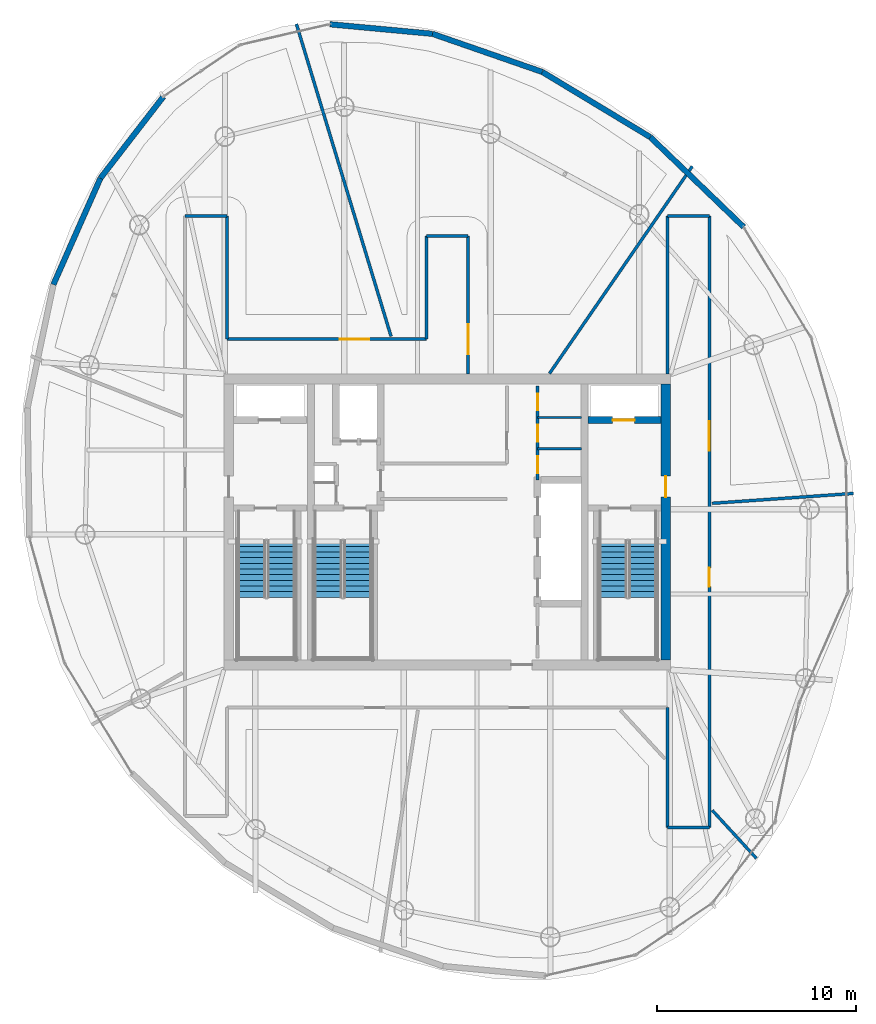
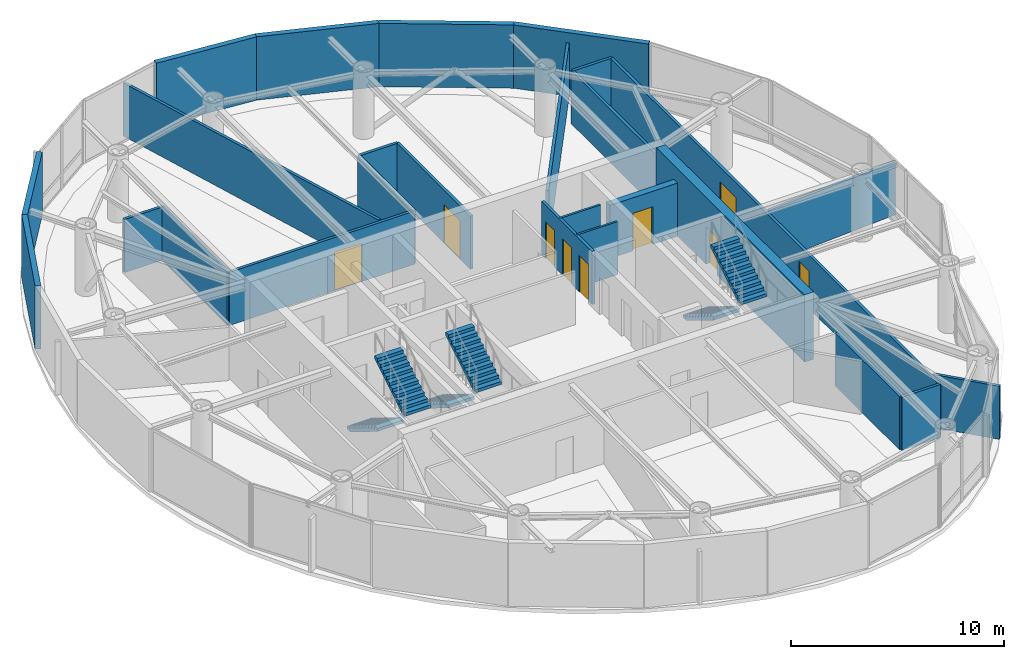
# One storey, part 16 of 19: 26 walls, 9 doors, 6 stair flights, 9 openings, 3 elements without a shape of their own.
"""IFC4 building model written with IfcOpenShell, lengths in metres."""

from ifc_helpers import new_model, si_unit, direction, frame, frame_2d, origin, place, context, subcontext, project, spatial, polyline, rectangle, outline, extrude, material, layer, layer_set, type_object, element, fill, aggregate, save


model = new_model("IFC4")

# Units and contexts
model_context = context("Model", 3, precision=1e-05, world=origin(), true_north=direction((0.0, 1.0)))
body_context = subcontext(model_context, "Body", "Model", "MODEL_VIEW")
ifc_project = project(units=[si_unit("LENGTHUNIT", "METRE"), si_unit("AREAUNIT", "SQUARE_METRE"), si_unit("VOLUMEUNIT", "CUBIC_METRE"), si_unit("PLANEANGLEUNIT", "RADIAN"), si_unit("MASSUNIT", "GRAM", prefix="KILO")], contexts=[model_context])

# Site, building, storey
site_placement = place(None, origin())
site = spatial("IfcSite", under=ifc_project, at=site_placement, CompositionType="ELEMENT")
building_placement = place(site_placement, origin())
building = spatial("IfcBuilding", under=site, at=building_placement, Name="Bramvorn Convention Spire", CompositionType="ELEMENT")
storey_placement = place(building_placement, frame((0.0, 0.0, 299.800048828125)))
storey = spatial("IfcBuildingStorey", under=building, at=storey_placement, Name="L76", CompositionType="ELEMENT", Elevation=299.800048828125)

# Wall, opening, door
ifc_material_1 = material(Name="Concrete C50/60", Category="concrete")
ifc_layer_1 = layer(ifc_material_1, 0.5)
ifc_layer_set_1 = layer_set([ifc_layer_1], Name="Concrete C50/60 - WL-CORE-500")
wall_type_1 = type_object("IfcWallType", Name="WL-CORE-500", PredefinedType="SHEAR", material=ifc_layer_set_1)
wall_1_placement = place(storey_placement, frame((49.0, 19.050048828125, 0.0), z_axis=(0.0, 0.0, 1.0), x_axis=(0.0, 1.0, 0.0)))
wall_1 = element("IfcWall", 1, at=wall_1_placement, inside=storey, type_object=wall_type_1, Name="L76 East RC core shear wall", PredefinedType="SHEAR", context=body_context, shape_type="SweptSolid", body=[
    extrude(rectangle(XDim=13.89990234375, YDim=0.5, at=frame_2d((6.949951171875, 0.0))), origin(), (0.0, 0.0, 1.0), 3.849853515625),
])
opening_1_placement = place(wall_1_placement, frame((8.199951171875, 0.0, 0.0)))
opening_1 = element("IfcOpeningElement", 2, at=opening_1_placement, cuts=wall_1, Name="Opening DL-105", PredefinedType="OPENING", context=body_context, shape_type="SweptSolid", body=[
    extrude(rectangle(XDim=1.050048828125, YDim=2.14990234375, at=frame_2d((0.52490234375, 1.074951171875))), frame((0.0, 0.260009765625, 0.0), z_axis=(0.0, -1.0, 0.0), x_axis=(1.0, 0.0, 0.0)), (0.0, 0.0, 1.0), 0.52001953125),
])
ifc_material_2 = material(Name="Smoke-Sealed Fire Lobby Timber-Core Door", Category="wood")
door_type_1 = type_object("IfcDoorType", Name="DR-LOBBY-1050", OperationType="NOTDEFINED", PredefinedType="DOOR", material=ifc_material_2)
door_1_placement = place(opening_1_placement, origin())
door_1 = element("IfcDoor", 3, at=door_1_placement, inside=storey, type_object=door_type_1, Name="L76 East Firefighting Lobby corridor door", OperationType="SINGLE_SWING_LEFT", OverallHeight=2.14990234375, OverallWidth=1.050048828125, PredefinedType="DOOR", context=body_context, shape_type="SweptSolid", body=[
    extrude(rectangle(XDim=1.050048828125, YDim=2.14990234375, at=frame_2d((0.52490234375, 1.074951171875))), frame((0.0, 0.02490234375, 0.0), z_axis=(0.0, -1.0, 0.0), x_axis=(1.0, 0.0, 0.0)), (0.0, 0.0, 1.0), 0.050048828125),
])
fill(opening_1, door_1)

ifc_layer_2 = layer(ifc_material_1, 0.35009765625)
ifc_layer_set_2 = layer_set([ifc_layer_2], Name="Concrete C50/60 - WL-CORE-INT-350")
wall_type_2 = type_object("IfcWallType", Name="WL-CORE-INT-350", PredefinedType="SHEAR", material=ifc_layer_set_2)
wall_2_placement = place(storey_placement, frame((45.080078125, 31.1201171875, 0.0), z_axis=(0.0, 0.0, 1.0), x_axis=(1.0, 0.0, 0.0)))
wall_2 = element("IfcWall", 4, at=wall_2_placement, inside=storey, type_object=wall_type_2, Name="L76 FE2 shaft front wall", PredefinedType="SHEAR", context=body_context, shape_type="SweptSolid", body=[
    extrude(rectangle(XDim=3.669921875, YDim=0.35009765625, at=frame_2d((1.8349609375, 0.0))), origin(), (0.0, 0.0, 1.0), 3.0400390625),
])
opening_2_placement = place(wall_2_placement, frame((1.25, 0.0, 0.0)))
opening_2 = element("IfcOpeningElement", 5, at=opening_2_placement, cuts=wall_2, Name="Opening LD-110", PredefinedType="OPENING", context=body_context, shape_type="SweptSolid", body=[
    extrude(rectangle(XDim=1.10009765625, YDim=2.14990234375, at=frame_2d((0.550048828125, 1.074951171875))), frame((0.0, 0.18505859375, 0.0), z_axis=(0.0, -1.0, 0.0), x_axis=(1.0, 0.0, 0.0)), (0.0, 0.0, 1.0), 0.3701171875),
])
ifc_material_3 = material(Name="Firefighting & Service Lift Sliding Landing Door", Category="steel")
door_type_2 = type_object("IfcDoorType", Name="DR-LIFT-LD-1100", OperationType="NOTDEFINED", PredefinedType="DOOR", material=ifc_material_3)
door_2_placement = place(opening_2_placement, origin())
door_2 = element("IfcDoor", 6, at=door_2_placement, inside=storey, type_object=door_type_2, Name="L76 Lift FE2 Sliding Landing Door", OperationType="SLIDING_TO_LEFT", OverallHeight=2.14990234375, OverallWidth=1.10009765625, PredefinedType="DOOR", context=body_context, shape_type="SweptSolid", body=[
    extrude(rectangle(XDim=1.10009765625, YDim=2.14990234375, at=frame_2d((0.550048828125, 1.074951171875))), frame((0.0, 0.02490234375, 0.0), z_axis=(0.0, -1.0, 0.0), x_axis=(1.0, 0.0, 0.0)), (0.0, 0.0, 1.0), 0.050048828125),
])
fill(opening_2, door_2)

# Walls
ifc_material_4 = material(Name="Precast Concrete C40/50 with Bronze Terracotta Rainscreen", Category="masonry")
ifc_layer_3 = layer(ifc_material_4, 0.300048828125)
ifc_layer_set_3 = layer_set([ifc_layer_3], Name="Precast Concrete C40/50 with Bronze Terracotta Rainscreen - WL-EXT-BRONZE-300")
wall_type_3 = type_object("IfcWallType", Name="WL-EXT-BRONZE-300", PredefinedType="SOLIDWALL", material=ifc_layer_set_3)
wall_3_placement = place(storey_placement, frame((48.218017578125, 45.37109375, 0.0), z_axis=(0.0, 0.0, 1.0), x_axis=(0.720629593397, -0.693320264467, 0.0)))
element("IfcWall", 7, at=wall_3_placement, inside=storey, type_object=wall_type_3, Name="L76 expressed bronze Gothic lancet pier wall 08", PredefinedType="SOLIDWALL", context=body_context, shape_type="SweptSolid", body=[
    extrude(rectangle(XDim=6.526123046875, YDim=0.280029296875, at=frame_2d((3.26318359375, 0.0))), origin(), (0.0, 0.0, 1.0), 3.625),
])
wall_4_placement = place(storey_placement, frame((42.785888671875, 48.650634765625, 0.0), z_axis=(0.0, 0.0, 1.0), x_axis=(0.856080826814, -0.516841966139, 0.0)))
element("IfcWall", 8, at=wall_4_placement, inside=storey, type_object=wall_type_3, Name="L76 expressed bronze Gothic lancet pier wall 09", PredefinedType="SOLIDWALL", context=body_context, shape_type="SweptSolid", body=[
    extrude(rectangle(XDim=6.345458984375, YDim=0.280029296875, at=frame_2d((3.1728515625, 0.0))), origin(), (0.0, 0.0, 1.0), 3.625),
])
wall_5_placement = place(storey_placement, frame((37.25, 50.572265625, 0.0), z_axis=(0.0, 0.0, 1.0), x_axis=(0.944702886808, -0.327927515857, 0.0)))
element("IfcWall", 9, at=wall_5_placement, inside=storey, type_object=wall_type_3, Name="L76 expressed bronze Gothic lancet pier wall 10", PredefinedType="SOLIDWALL", context=body_context, shape_type="SweptSolid", body=[
    extrude(rectangle(XDim=5.85986328125, YDim=0.280029296875, at=frame_2d((2.929931640625, 0.0))), origin(), (0.0, 0.0, 1.0), 3.625),
])
for number, where, z_axis, x_axis, name in (
    (10, (32.093017578125, 51.05126953125, 0.0), (0.0, 0.0, 1.0), (0.995713945439, -0.092486425269, 0.0), "L76 expressed bronze Gothic lancet pier wall 11"),
    (11, (20.54052734375, 43.306884765625, 0.0), (0.0, 0.0, 1.0), (0.611447501076, 0.791285001392, 0.0), "L76 expressed bronze Gothic lancet pier wall 14"),
):
    element("IfcWall", number, at=place(storey_placement, frame(where, z_axis=z_axis, x_axis=x_axis)), inside=storey, type_object=wall_type_3, Name=name, PredefinedType="SOLIDWALL", context=body_context, shape_type="SweptSolid", body=[
        extrude(rectangle(XDim=5.17919921875, YDim=0.280029296875, at=frame_2d((2.589599609375, 0.0))), origin(), (0.0, 0.0, 1.0), 3.625),
    ])
wall_6_placement = place(storey_placement, frame((18.17041015625, 37.947509765625, 0.0), z_axis=(0.0, 0.0, 1.0), x_axis=(0.404452406616, 0.914559047182, 0.0)))
element("IfcWall", 12, at=wall_6_placement, inside=storey, type_object=wall_type_3, Name="L76 expressed bronze Gothic lancet pier wall 15", PredefinedType="SOLIDWALL", context=body_context, shape_type="SweptSolid", body=[
    extrude(rectangle(XDim=5.860107421875, YDim=0.280029296875, at=frame_2d((2.93017578125, 0.0))), origin(), (0.0, 0.0, 1.0), 3.625),
])
ifc_material_5 = material(Name="Lightweight En-Suite & Wet-Wall Partition", Category="gypsum")
ifc_layer_4 = layer(ifc_material_5, 0.110107421875)
ifc_layer_set_4 = layer_set([ifc_layer_4], Name="Lightweight En-Suite & Wet-Wall Partition - WL-PART-110")
wall_type_4 = type_object("IfcWallType", Name="WL-PART-110", PredefinedType="PARTITIONING", material=ifc_layer_set_4)
for number, where, z_axis, x_axis, name in (
    (13, (42.550048828125, 29.679931640625, 0.0), (0.0, 0.0, 1.0), (1.0, 0.0, 0.0), "L76 KC NE div 1"),
    (14, (42.550048828125, 31.260009765625, 0.0), (0.0, 0.0, 1.0), (1.0, 0.0, 0.0), "L76 KC NE div 2"),
):
    element("IfcWall", number, at=place(storey_placement, frame(where, z_axis=z_axis, x_axis=x_axis)), inside=storey, type_object=wall_type_4, Name=name, PredefinedType="PARTITIONING", context=body_context, shape_type="SweptSolid", body=[
        extrude(rectangle(XDim=2.199951171875, YDim=0.110107421875, at=frame_2d((1.10009765625, 0.0))), origin(), (0.0, 0.0, 1.0), 3.0400390625),
    ])

# Wall, openings, doors
ifc_material_6 = material(Name="Acoustic Metal-Stud Tenant/Corridor Partition", Category="gypsum")
ifc_layer_5 = layer(ifc_material_6, 0.14990234375)
ifc_layer_set_5 = layer_set([ifc_layer_5], Name="Acoustic Metal-Stud Tenant/Corridor Partition - WL-PART-150")
wall_type_5 = type_object("IfcWallType", Name="WL-PART-150", PredefinedType="PARTITIONING", material=ifc_layer_set_5)
wall_7_placement = place(storey_placement, frame((42.550048828125, 28.10009765625, 0.0), z_axis=(0.0, 0.0, 1.0), x_axis=(0.0, 1.0, 0.0)))
wall_7 = element("IfcWall", 15, at=wall_7_placement, inside=storey, type_object=wall_type_5, Name="L76 KC NE wall", PredefinedType="PARTITIONING", context=body_context, shape_type="SweptSolid", body=[
    extrude(rectangle(XDim=4.75, YDim=0.14990234375, at=frame_2d((2.375, 0.0))), origin(), (0.0, 0.0, 1.0), 3.0400390625),
])
opening_3_placement = place(wall_7_placement, frame((0.35009765625, 0.0, 0.0)))
opening_3 = element("IfcOpeningElement", 16, at=opening_3_placement, cuts=wall_7, Name="Opening DC-085", PredefinedType="OPENING", context=body_context, shape_type="SweptSolid", body=[
    extrude(rectangle(XDim=0.85009765625, YDim=2.10009765625, at=frame_2d((0.425048828125, 1.050048828125))), frame((0.0, 0.0849609375, 0.0), z_axis=(0.0, -1.0, 0.0), x_axis=(1.0, 0.0, 0.0)), (0.0, 0.0, 1.0), 0.169921875),
])
opening_4_placement = place(wall_7_placement, frame((1.929931640625, 0.0, 0.0)))
opening_4 = element("IfcOpeningElement", 17, at=opening_4_placement, cuts=wall_7, Name="Opening DC-085", PredefinedType="OPENING", context=body_context, shape_type="SweptSolid", body=[
    extrude(rectangle(XDim=0.85009765625, YDim=2.10009765625, at=frame_2d((0.425048828125, 1.050048828125))), frame((0.0, 0.0849609375, 0.0), z_axis=(0.0, -1.0, 0.0), x_axis=(1.0, 0.0, 0.0)), (0.0, 0.0, 1.0), 0.169921875),
])
opening_5_placement = place(wall_7_placement, frame((3.510009765625, 0.0, 0.0)))
opening_5 = element("IfcOpeningElement", 18, at=opening_5_placement, cuts=wall_7, Name="Opening DC-085", PredefinedType="OPENING", context=body_context, shape_type="SweptSolid", body=[
    extrude(rectangle(XDim=0.85009765625, YDim=2.10009765625, at=frame_2d((0.425048828125, 1.050048828125))), frame((0.0, 0.0849609375, 0.0), z_axis=(0.0, -1.0, 0.0), x_axis=(1.0, 0.0, 0.0)), (0.0, 0.0, 1.0), 0.169921875),
])
ifc_material_7 = material(Name="Fire-Rated Core Washroom & IDF Door", Category="wood")
door_type_3 = type_object("IfcDoorType", Name="DR-CORE-850", OperationType="NOTDEFINED", PredefinedType="DOOR", material=ifc_material_7)
door_3_placement = place(opening_3_placement, origin())
door_3 = element("IfcDoor", 19, at=door_3_placement, inside=storey, type_object=door_type_3, Name="L76 Accessible Core Restroom door", OperationType="SINGLE_SWING_LEFT", OverallHeight=2.10009765625, OverallWidth=0.85009765625, PredefinedType="DOOR", context=body_context, shape_type="SweptSolid", body=[
    extrude(rectangle(XDim=0.85009765625, YDim=2.10009765625, at=frame_2d((0.425048828125, 1.050048828125))), frame((0.0, 0.02490234375, 0.0), z_axis=(0.0, -1.0, 0.0), x_axis=(1.0, 0.0, 0.0)), (0.0, 0.0, 1.0), 0.050048828125),
])
fill(opening_3, door_3)
door_4_placement = place(opening_4_placement, origin())
door_4 = element("IfcDoor", 20, at=door_4_placement, inside=storey, type_object=door_type_3, Name="L76 Tenant Pantry & Copy Centre door", OperationType="SINGLE_SWING_LEFT", OverallHeight=2.10009765625, OverallWidth=0.85009765625, PredefinedType="DOOR", context=body_context, shape_type="SweptSolid", body=[
    extrude(rectangle(XDim=0.85009765625, YDim=2.10009765625, at=frame_2d((0.425048828125, 1.050048828125))), frame((0.0, 0.02490234375, 0.0), z_axis=(0.0, -1.0, 0.0), x_axis=(1.0, 0.0, 0.0)), (0.0, 0.0, 1.0), 0.050048828125),
])
fill(opening_4, door_4)
door_5_placement = place(opening_5_placement, origin())
door_5 = element("IfcDoor", 21, at=door_5_placement, inside=storey, type_object=door_type_3, Name="L76 Core Comms Closet door", OperationType="SINGLE_SWING_LEFT", OverallHeight=2.10009765625, OverallWidth=0.85009765625, PredefinedType="DOOR", context=body_context, shape_type="SweptSolid", body=[
    extrude(rectangle(XDim=0.85009765625, YDim=2.10009765625, at=frame_2d((0.425048828125, 1.050048828125))), frame((0.0, 0.02490234375, 0.0), z_axis=(0.0, -1.0, 0.0), x_axis=(1.0, 0.0, 0.0)), (0.0, 0.0, 1.0), 0.050048828125),
])
fill(opening_5, door_5)

# Wall, opening, door
wall_8_placement = place(storey_placement, frame((26.89990234375, 35.199951171875, 0.0), z_axis=(0.0, 0.0, 1.0), x_axis=(1.0, 0.0, 0.0)))
wall_8 = element("IfcWall", 22, at=wall_8_placement, inside=storey, type_object=wall_type_5, Name="L76 North-west spur link wall", PredefinedType="PARTITIONING", context=body_context, shape_type="SweptSolid", body=[
    extrude(rectangle(XDim=10.050048828125, YDim=0.14990234375, at=frame_2d((5.02490234375, 0.0))), origin(), (0.0, 0.0, 1.0), 3.0400390625),
])
opening_6_placement = place(wall_8_placement, frame((5.679443359375, 0.0, 0.0)))
opening_6 = element("IfcOpeningElement", 23, at=opening_6_placement, cuts=wall_8, Name="Opening DC-150", PredefinedType="OPENING", context=body_context, shape_type="SweptSolid", body=[
    extrude(rectangle(XDim=1.5, YDim=2.199951171875, at=frame_2d((0.75, 1.10009765625))), frame((0.0, 0.0849609375, 0.0), z_axis=(0.0, -1.0, 0.0), x_axis=(1.0, 0.0, 0.0)), (0.0, 0.0, 1.0), 0.169921875),
])
ifc_material_8 = material(Name="Double-Leaf Smoke-Control Corridor Door", Category="wood")
door_type_4 = type_object("IfcDoorType", Name="DR-COR-1500", OperationType="NOTDEFINED", PredefinedType="DOOR", material=ifc_material_8)
door_6_placement = place(opening_6_placement, origin())
door_6 = element("IfcDoor", 24, at=door_6_placement, inside=storey, type_object=door_type_4, Name="L76 Sunset Cocktail Dining Lounge 3 3 door", OperationType="DOUBLE_DOOR_SINGLE_SWING", OverallHeight=2.199951171875, OverallWidth=1.5, PredefinedType="DOOR", context=body_context, shape_type="SweptSolid", body=[
    extrude(rectangle(XDim=1.5, YDim=2.199951171875, at=frame_2d((0.75, 1.10009765625))), frame((0.0, 0.02490234375, 0.0), z_axis=(0.0, -1.0, 0.0), x_axis=(1.0, 0.0, 0.0)), (0.0, 0.0, 1.0), 0.050048828125),
])
fill(opening_6, door_6)

# Walls
wall_9_placement = place(storey_placement, frame((26.89990234375, 35.199951171875, 0.0), z_axis=(0.0, 0.0, 1.0), x_axis=(0.0, 1.0, 0.0)))
element("IfcWall", 25, at=wall_9_placement, inside=storey, type_object=wall_type_5, Name="L76 West gallery NE wall", PredefinedType="PARTITIONING", context=body_context, shape_type="SweptSolid", body=[
    extrude(rectangle(XDim=6.199951171875, YDim=0.14990234375, at=frame_2d((3.10009765625, 0.0))), origin(), (0.0, 0.0, 1.0), 3.0400390625),
])
wall_10_placement = place(storey_placement, frame((24.800048828125, 41.39990234375, 0.0), z_axis=(0.0, 0.0, 1.0), x_axis=(1.0, 0.0, 0.0)))
element("IfcWall", 26, at=wall_10_placement, inside=storey, type_object=wall_type_5, Name="L76 West gallery north end", PredefinedType="PARTITIONING", context=body_context, shape_type="SweptSolid", body=[
    extrude(rectangle(XDim=2.099853515625, YDim=0.14990234375, at=frame_2d((1.0498046875, 0.0))), origin(), (0.0, 0.0, 1.0), 3.0400390625),
])

# Wall, openings, doors
wall_11_placement = place(storey_placement, frame((51.199951171875, 10.60009765625, 0.0), z_axis=(0.0, 0.0, 1.0), x_axis=(0.0, 1.0, 0.0)))
wall_11 = element("IfcWall", 27, at=wall_11_placement, inside=storey, type_object=wall_type_5, Name="L76 East N-S gallery outer wall", PredefinedType="PARTITIONING", context=body_context, shape_type="SweptSolid", body=[
    extrude(rectangle(XDim=30.7998046875, YDim=0.14990234375, at=frame_2d((15.39990234375, 0.0))), origin(), (0.0, 0.0, 1.0), 3.0400390625),
])
opening_7_placement = place(wall_11_placement, frame((18.976318359375, 0.0, 0.0)))
opening_7 = element("IfcOpeningElement", 28, at=opening_7_placement, cuts=wall_11, Name="Opening DC-150", PredefinedType="OPENING", context=body_context, shape_type="SweptSolid", body=[
    extrude(rectangle(XDim=1.5, YDim=2.199951171875, at=frame_2d((0.75, 1.10009765625))), frame((0.0, 0.0849609375, 0.0), z_axis=(0.0, -1.0, 0.0), x_axis=(1.0, 0.0, 0.0)), (0.0, 0.0, 1.0), 0.169921875),
])
opening_8_placement = place(wall_11_placement, frame((12.13525390625, 0.0, 0.0)))
opening_8 = element("IfcOpeningElement", 29, at=opening_8_placement, cuts=wall_11, Name="Opening DH-095", PredefinedType="OPENING", context=body_context, shape_type="SweptSolid", body=[
    extrude(rectangle(XDim=0.949951171875, YDim=2.14990234375, at=frame_2d((0.47509765625, 1.074951171875))), frame((0.0, 0.0849609375, 0.0), z_axis=(0.0, -1.0, 0.0), x_axis=(1.0, 0.0, 0.0)), (0.0, 0.0, 1.0), 0.169921875),
])
door_7_placement = place(opening_7_placement, origin())
door_7 = element("IfcDoor", 30, at=door_7_placement, inside=storey, type_object=door_type_4, Name="L76 Signature Sky Dining Restaurant 1 1 door", OperationType="DOUBLE_DOOR_SINGLE_SWING", OverallHeight=2.199951171875, OverallWidth=1.5, PredefinedType="DOOR", context=body_context, shape_type="SweptSolid", body=[
    extrude(rectangle(XDim=1.5, YDim=2.199951171875, at=frame_2d((0.75, 1.10009765625))), frame((0.0, 0.02490234375, 0.0), z_axis=(0.0, -1.0, 0.0), x_axis=(1.0, 0.0, 0.0)), (0.0, 0.0, 1.0), 0.050048828125),
])
fill(opening_7, door_7)
ifc_material_9 = material(Name="Solid-Core Acoustic Guestroom Entry Door", Category="wood")
door_type_5 = type_object("IfcDoorType", Name="DR-HOTEL-950", OperationType="NOTDEFINED", PredefinedType="DOOR", material=ifc_material_9)
door_8_placement = place(opening_8_placement, origin())
door_8 = element("IfcDoor", 31, at=door_8_placement, inside=storey, type_object=door_type_5, Name="L76 Sky Garden Lounge door", OperationType="SINGLE_SWING_RIGHT", OverallHeight=2.14990234375, OverallWidth=0.949951171875, PredefinedType="DOOR", context=body_context, shape_type="SweptSolid", body=[
    extrude(rectangle(XDim=0.949951171875, YDim=2.14990234375, at=frame_2d((0.47509765625, 1.074951171875))), frame((0.0, 0.02490234375, 0.0), z_axis=(0.0, -1.0, 0.0), x_axis=(1.0, 0.0, 0.0)), (0.0, 0.0, 1.0), 0.050048828125),
])
fill(opening_8, door_8)

# Walls
wall_12_placement = place(storey_placement, frame((49.10009765625, 10.60009765625, 0.0), z_axis=(0.0, 0.0, 1.0), x_axis=(0.0, 1.0, 0.0)))
element("IfcWall", 32, at=wall_12_placement, inside=storey, type_object=wall_type_5, Name="L76 East gallery SW wall", PredefinedType="PARTITIONING", context=body_context, shape_type="SweptSolid", body=[
    extrude(rectangle(XDim=6.0498046875, YDim=0.14990234375, at=frame_2d((3.02490234375, 0.0))), origin(), (0.0, 0.0, 1.0), 3.0400390625),
])
wall_13_placement = place(storey_placement, frame((49.10009765625, 33.449951171875, 0.0), z_axis=(0.0, 0.0, 1.0), x_axis=(0.0, 1.0, 0.0)))
element("IfcWall", 33, at=wall_13_placement, inside=storey, type_object=wall_type_5, Name="L76 East gallery NW wall", PredefinedType="PARTITIONING", context=body_context, shape_type="SweptSolid", body=[
    extrude(rectangle(XDim=7.949951171875, YDim=0.14990234375, at=frame_2d((3.97509765625, 0.0))), origin(), (0.0, 0.0, 1.0), 3.0400390625),
])
for number, where, z_axis, x_axis, name in (
    (34, (49.10009765625, 10.60009765625, 0.0), (0.0, 0.0, 1.0), (1.0, 0.0, 0.0), "L76 East gallery south end"),
    (35, (49.10009765625, 41.39990234375, 0.0), (0.0, 0.0, 1.0), (1.0, 0.0, 0.0), "L76 East gallery north end"),
):
    element("IfcWall", number, at=place(storey_placement, frame(where, z_axis=z_axis, x_axis=x_axis)), inside=storey, type_object=wall_type_5, Name=name, PredefinedType="PARTITIONING", context=body_context, shape_type="SweptSolid", body=[
        extrude(rectangle(XDim=2.099853515625, YDim=0.14990234375, at=frame_2d((1.0498046875, 0.0))), origin(), (0.0, 0.0, 1.0), 3.0400390625),
    ])
wall_14_placement = place(storey_placement, frame((36.949951171875, 35.199951171875, 0.0), z_axis=(0.0, 0.0, 1.0), x_axis=(0.0, 1.0, 0.0)))
element("IfcWall", 36, at=wall_14_placement, inside=storey, type_object=wall_type_5, Name="L76 North spur west wall", PredefinedType="PARTITIONING", context=body_context, shape_type="SweptSolid", body=[
    extrude(rectangle(XDim=5.199951171875, YDim=0.14990234375, at=frame_2d((2.60009765625, 0.0))), origin(), (0.0, 0.0, 1.0), 3.0400390625),
])

# Wall, opening, door
wall_15_placement = place(storey_placement, frame((39.050048828125, 33.449951171875, 0.0), z_axis=(0.0, 0.0, 1.0), x_axis=(0.0, 1.0, 0.0)))
wall_15 = element("IfcWall", 37, at=wall_15_placement, inside=storey, type_object=wall_type_5, Name="L76 North spur east wall", PredefinedType="PARTITIONING", context=body_context, shape_type="SweptSolid", body=[
    extrude(rectangle(XDim=6.949951171875, YDim=0.14990234375, at=frame_2d((3.47509765625, 0.0))), origin(), (0.0, 0.0, 1.0), 3.0400390625),
])
opening_9_placement = place(wall_15_placement, frame((0.987548828125, 0.0, 0.0)))
opening_9 = element("IfcOpeningElement", 38, at=opening_9_placement, cuts=wall_15, Name="Opening DC-150", PredefinedType="OPENING", context=body_context, shape_type="SweptSolid", body=[
    extrude(rectangle(XDim=1.5, YDim=2.199951171875, at=frame_2d((0.75, 1.10009765625))), frame((0.0, 0.0849609375, 0.0), z_axis=(0.0, -1.0, 0.0), x_axis=(1.0, 0.0, 0.0)), (0.0, 0.0, 1.0), 0.169921875),
])
door_9_placement = place(opening_9_placement, origin())
door_9 = element("IfcDoor", 39, at=door_9_placement, inside=storey, type_object=door_type_4, Name="L76 Private Champagne Dining Salon 2 2 door", OperationType="DOUBLE_DOOR_SINGLE_SWING", OverallHeight=2.199951171875, OverallWidth=1.5, PredefinedType="DOOR", context=body_context, shape_type="SweptSolid", body=[
    extrude(rectangle(XDim=1.5, YDim=2.199951171875, at=frame_2d((0.75, 1.10009765625))), frame((0.0, 0.02490234375, 0.0), z_axis=(0.0, -1.0, 0.0), x_axis=(1.0, 0.0, 0.0)), (0.0, 0.0, 1.0), 0.050048828125),
])
fill(opening_9, door_9)

# Walls
wall_16_placement = place(storey_placement, frame((36.949951171875, 40.39990234375, 0.0), z_axis=(0.0, 0.0, 1.0), x_axis=(1.0, 0.0, 0.0)))
element("IfcWall", 40, at=wall_16_placement, inside=storey, type_object=wall_type_5, Name="L76 North spur end wall", PredefinedType="PARTITIONING", context=body_context, shape_type="SweptSolid", body=[
    extrude(rectangle(XDim=2.10009765625, YDim=0.14990234375, at=frame_2d((1.050048828125, 0.0))), origin(), (0.0, 0.0, 1.0), 3.0400390625),
])
wall_17_placement = place(storey_placement, frame((51.340087890625, 26.932861328125, 0.0), z_axis=(0.0, 0.0, 1.0), x_axis=(0.997564040522, 0.069756613005, 0.0)))
element("IfcWall", 41, at=wall_17_placement, inside=storey, type_object=wall_type_5, Name="L76 Tenant suite partition 1", PredefinedType="PARTITIONING", context=body_context, shape_type="SweptSolid", body=[
    extrude(rectangle(XDim=7.13623046875, YDim=0.14990234375, at=frame_2d((3.568115234375, 0.0))), origin(), (0.0, 0.0, 1.0), 3.0400390625),
])
wall_18_placement = place(storey_placement, frame((43.147705078125, 33.469970703125, 0.0), z_axis=(0.0, 0.0, 1.0), x_axis=(0.56742949058, 0.82342198976, 0.0)))
element("IfcWall", 42, at=wall_18_placement, inside=storey, type_object=wall_type_5, Name="L76 Tenant suite partition 2", PredefinedType="PARTITIONING", context=body_context, shape_type="SweptSolid", body=[
    extrude(rectangle(XDim=12.6728515625, YDim=0.14990234375, at=frame_2d((6.33642578125, 0.0))), origin(), (0.0, 0.0, 1.0), 3.0400390625),
])
wall_19_placement = place(storey_placement, frame((35.169921875, 35.340087890625, 0.0), z_axis=(0.0, 0.0, 1.0), x_axis=(-0.289988426626, 0.957030152306, 0.0)))
element("IfcWall", 43, at=wall_19_placement, inside=storey, type_object=wall_type_5, Name="L76 Tenant suite partition 3", PredefinedType="PARTITIONING", context=body_context, shape_type="SweptSolid", body=[
    extrude(rectangle(XDim=16.43212890625, YDim=0.14990234375, at=frame_2d((8.216064453125, 0.0))), origin(), (0.0, 0.0, 1.0), 3.0400390625),
])
wall_20_placement = place(storey_placement, frame((51.340087890625, 11.478271484375, 0.0), z_axis=(0.0, 0.0, 1.0), x_axis=(0.676538208378, -0.736407531605, 0.0)))
element("IfcWall", 44, at=wall_20_placement, inside=storey, type_object=wall_type_5, Name="L76 Tenant suite partition 7", PredefinedType="PARTITIONING", context=body_context, shape_type="SweptSolid", body=[
    extrude(rectangle(XDim=3.286865234375, YDim=0.14990234375, at=frame_2d((1.6435546875, 0.0))), origin(), (0.0, 0.0, 1.0), 3.0400390625),
])

# Stair, stair flights
ifc_material_10 = material(Name="Concrete C40/50 Precast Stair", Category="concrete")
stair_type = type_object("IfcStairType", Name="ST-TOWER-1550", PredefinedType="HALF_TURN_STAIR", material=ifc_material_10)
stair_1_placement = place(storey_placement, origin())
stair_1 = element("IfcStair", 45, at=stair_1_placement, inside=storey, type_object=stair_type, Name="L76 Protected Exit Stair ST1", PredefinedType="HALF_TURN_STAIR")
ifc_material_11 = material(Name="Concrete C40/50 Precast Stair Flight", Category="concrete")
stair_flight_type = type_object("IfcStairFlightType", Name="STF-TOWER-1550", PredefinedType="STRAIGHT", material=ifc_material_11)
stair_flight_1_placement = place(storey_placement, frame((28.155029296875, 25.050048828125, 0.0), z_axis=(0.0, 0.0, 1.0), x_axis=(0.0, -1.0, 0.0)))
stair_flight_1 = element("IfcStairFlight", 46, at=stair_flight_1_placement, type_object=stair_flight_type, Name="ST1 flight 1", NumberOfRisers=11, NumberOfTreads=10, PredefinedType="STRAIGHT", RiserHeight=0.175, TreadLength=0.285, context=body_context, shape_type="SweptSolid", body=[
    extrude(outline(polyline([(0.0, 0.0), (0.0, 0.175048828125), (0.284912109375, 0.175048828125), (0.284912109375, 0.35009765625), (0.570068359375, 0.35009765625), (0.570068359375, 0.52490234375), (0.85498046875, 0.52490234375), (0.85498046875, 0.699951171875), (1.139892578125, 0.699951171875), (1.139892578125, 0.875), (1.425048828125, 0.875), (1.425048828125, 1.050048828125), (1.7099609375, 1.050048828125), (1.7099609375, 1.22509765625), (1.9951171875, 1.22509765625), (1.9951171875, 1.39990234375), (2.280029296875, 1.39990234375), (2.280029296875, 1.574951171875), (2.56494140625, 1.574951171875), (2.56494140625, 1.75), (2.85009765625, 1.75), (2.85009765625, 1.925048828125), (2.85009765625, 1.573974609375), (0.286376953125, 0.0), (0.0, 0.0)])), frame((0.0, 0.705078125, 0.0), z_axis=(0.0, -1.0, 0.0), x_axis=(1.0, 0.0, 0.0)), (0.0, 0.0, 1.0), 1.409912109375),
])
stair_flight_2_placement = place(storey_placement, frame((29.64501953125, 22.199951171875, 1.925048828125), z_axis=(0.0, 0.0, 1.0), x_axis=(0.0, 1.0, 0.0)))
stair_flight_2 = element("IfcStairFlight", 47, at=stair_flight_2_placement, type_object=stair_flight_type, Name="ST1 flight 2", NumberOfRisers=11, NumberOfTreads=10, PredefinedType="STRAIGHT", RiserHeight=0.175, TreadLength=0.285, context=body_context, shape_type="SweptSolid", body=[
    extrude(outline(polyline([(0.0, 0.0), (0.0, 0.175048828125), (0.284912109375, 0.175048828125), (0.284912109375, 0.35009765625), (0.570068359375, 0.35009765625), (0.570068359375, 0.52490234375), (0.85498046875, 0.52490234375), (0.85498046875, 0.699951171875), (1.139892578125, 0.699951171875), (1.139892578125, 0.875), (1.425048828125, 0.875), (1.425048828125, 1.050048828125), (1.7099609375, 1.050048828125), (1.7099609375, 1.22509765625), (1.9951171875, 1.22509765625), (1.9951171875, 1.39990234375), (2.280029296875, 1.39990234375), (2.280029296875, 1.574951171875), (2.56494140625, 1.574951171875), (2.56494140625, 1.75), (2.85009765625, 1.75), (2.85009765625, 1.925048828125), (2.85009765625, 1.573974609375), (0.286376953125, 0.0), (0.0, 0.0)])), frame((0.0, 0.705078125, 0.0), z_axis=(0.0, -1.0, 0.0), x_axis=(1.0, 0.0, 0.0)), (0.0, 0.0, 1.0), 1.409912109375),
])
aggregate(stair_1, [stair_flight_1, stair_flight_2])

stair_2_placement = place(storey_placement, origin())
stair_2 = element("IfcStair", 48, at=stair_2_placement, inside=storey, type_object=stair_type, Name="L76 Protected Exit Stair ST2", PredefinedType="HALF_TURN_STAIR")
stair_flight_3_placement = place(storey_placement, frame((46.35498046875, 25.050048828125, 0.0), z_axis=(0.0, 0.0, 1.0), x_axis=(0.0, -1.0, 0.0)))
stair_flight_3 = element("IfcStairFlight", 49, at=stair_flight_3_placement, type_object=stair_flight_type, Name="ST2 flight 1", NumberOfRisers=11, NumberOfTreads=10, PredefinedType="STRAIGHT", RiserHeight=0.175, TreadLength=0.285, context=body_context, shape_type="SweptSolid", body=[
    extrude(outline(polyline([(0.0, 0.0), (0.0, 0.175048828125), (0.284912109375, 0.175048828125), (0.284912109375, 0.35009765625), (0.570068359375, 0.35009765625), (0.570068359375, 0.52490234375), (0.85498046875, 0.52490234375), (0.85498046875, 0.699951171875), (1.139892578125, 0.699951171875), (1.139892578125, 0.875), (1.425048828125, 0.875), (1.425048828125, 1.050048828125), (1.7099609375, 1.050048828125), (1.7099609375, 1.22509765625), (1.9951171875, 1.22509765625), (1.9951171875, 1.39990234375), (2.280029296875, 1.39990234375), (2.280029296875, 1.574951171875), (2.56494140625, 1.574951171875), (2.56494140625, 1.75), (2.85009765625, 1.75), (2.85009765625, 1.925048828125), (2.85009765625, 1.573974609375), (0.286376953125, 0.0), (0.0, 0.0)])), frame((0.0, 0.705078125, 0.0), z_axis=(0.0, -1.0, 0.0), x_axis=(1.0, 0.0, 0.0)), (0.0, 0.0, 1.0), 1.409912109375),
])
stair_flight_4_placement = place(storey_placement, frame((47.844970703125, 22.199951171875, 1.925048828125), z_axis=(0.0, 0.0, 1.0), x_axis=(0.0, 1.0, 0.0)))
stair_flight_4 = element("IfcStairFlight", 50, at=stair_flight_4_placement, type_object=stair_flight_type, Name="ST2 flight 2", NumberOfRisers=11, NumberOfTreads=10, PredefinedType="STRAIGHT", RiserHeight=0.175, TreadLength=0.285, context=body_context, shape_type="SweptSolid", body=[
    extrude(outline(polyline([(0.0, 0.0), (0.0, 0.175048828125), (0.284912109375, 0.175048828125), (0.284912109375, 0.35009765625), (0.570068359375, 0.35009765625), (0.570068359375, 0.52490234375), (0.85498046875, 0.52490234375), (0.85498046875, 0.699951171875), (1.139892578125, 0.699951171875), (1.139892578125, 0.875), (1.425048828125, 0.875), (1.425048828125, 1.050048828125), (1.7099609375, 1.050048828125), (1.7099609375, 1.22509765625), (1.9951171875, 1.22509765625), (1.9951171875, 1.39990234375), (2.280029296875, 1.39990234375), (2.280029296875, 1.574951171875), (2.56494140625, 1.574951171875), (2.56494140625, 1.75), (2.85009765625, 1.75), (2.85009765625, 1.925048828125), (2.85009765625, 1.573974609375), (0.286376953125, 0.0), (0.0, 0.0)])), frame((0.0, 0.705078125, 0.0), z_axis=(0.0, -1.0, 0.0), x_axis=(1.0, 0.0, 0.0)), (0.0, 0.0, 1.0), 1.409912109375),
])
aggregate(stair_2, [stair_flight_3, stair_flight_4])

stair_3_placement = place(storey_placement, origin())
stair_3 = element("IfcStair", 51, at=stair_3_placement, inside=storey, type_object=stair_type, Name="L76 Protected Exit Stair ST3", PredefinedType="HALF_TURN_STAIR")
stair_flight_5_placement = place(storey_placement, frame((32.0048828125, 25.050048828125, 0.0), z_axis=(0.0, 0.0, 1.0), x_axis=(0.0, -1.0, 0.0)))
stair_flight_5 = element("IfcStairFlight", 52, at=stair_flight_5_placement, type_object=stair_flight_type, Name="ST3 flight 1", NumberOfRisers=11, NumberOfTreads=10, PredefinedType="STRAIGHT", RiserHeight=0.175, TreadLength=0.285, context=body_context, shape_type="SweptSolid", body=[
    extrude(outline(polyline([(0.0, 0.0), (0.0, 0.175048828125), (0.284912109375, 0.175048828125), (0.284912109375, 0.35009765625), (0.570068359375, 0.35009765625), (0.570068359375, 0.52490234375), (0.85498046875, 0.52490234375), (0.85498046875, 0.699951171875), (1.139892578125, 0.699951171875), (1.139892578125, 0.875), (1.425048828125, 0.875), (1.425048828125, 1.050048828125), (1.7099609375, 1.050048828125), (1.7099609375, 1.22509765625), (1.9951171875, 1.22509765625), (1.9951171875, 1.39990234375), (2.280029296875, 1.39990234375), (2.280029296875, 1.574951171875), (2.56494140625, 1.574951171875), (2.56494140625, 1.75), (2.85009765625, 1.75), (2.85009765625, 1.925048828125), (2.85009765625, 1.573974609375), (0.286376953125, 0.0), (0.0, 0.0)])), frame((0.0, 0.705078125, 0.0), z_axis=(0.0, -1.0, 0.0), x_axis=(1.0, 0.0, 0.0)), (0.0, 0.0, 1.0), 1.409912109375),
])
stair_flight_6_placement = place(storey_placement, frame((33.4951171875, 22.199951171875, 1.925048828125), z_axis=(0.0, 0.0, 1.0), x_axis=(0.0, 1.0, 0.0)))
stair_flight_6 = element("IfcStairFlight", 53, at=stair_flight_6_placement, type_object=stair_flight_type, Name="ST3 flight 2", NumberOfRisers=11, NumberOfTreads=10, PredefinedType="STRAIGHT", RiserHeight=0.175, TreadLength=0.285, context=body_context, shape_type="SweptSolid", body=[
    extrude(outline(polyline([(0.0, 0.0), (0.0, 0.175048828125), (0.284912109375, 0.175048828125), (0.284912109375, 0.35009765625), (0.570068359375, 0.35009765625), (0.570068359375, 0.52490234375), (0.85498046875, 0.52490234375), (0.85498046875, 0.699951171875), (1.139892578125, 0.699951171875), (1.139892578125, 0.875), (1.425048828125, 0.875), (1.425048828125, 1.050048828125), (1.7099609375, 1.050048828125), (1.7099609375, 1.22509765625), (1.9951171875, 1.22509765625), (1.9951171875, 1.39990234375), (2.280029296875, 1.39990234375), (2.280029296875, 1.574951171875), (2.56494140625, 1.574951171875), (2.56494140625, 1.75), (2.85009765625, 1.75), (2.85009765625, 1.925048828125), (2.85009765625, 1.573974609375), (0.286376953125, 0.0), (0.0, 0.0)])), frame((0.0, 0.705078125, 0.0), z_axis=(0.0, -1.0, 0.0), x_axis=(1.0, 0.0, 0.0)), (0.0, 0.0, 1.0), 1.409912109375),
])
aggregate(stair_3, [stair_flight_5, stair_flight_6])

save(model, "model.ifc")
